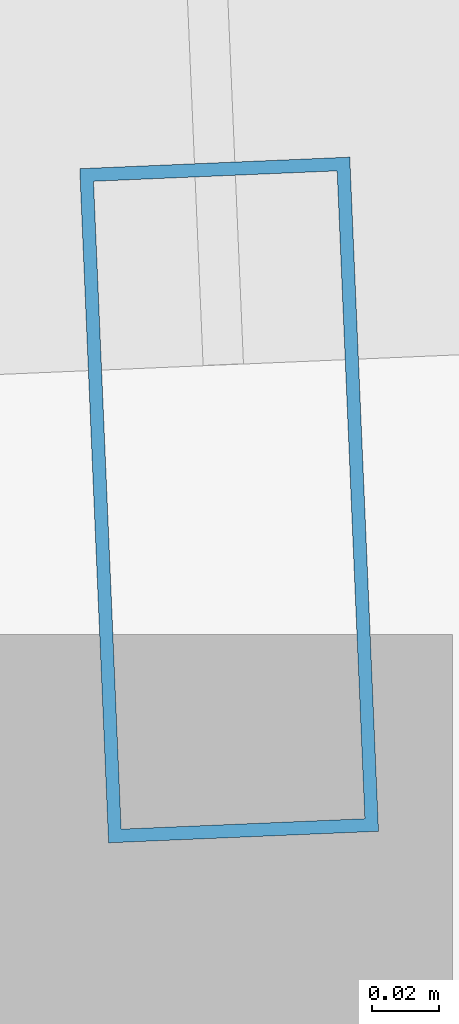
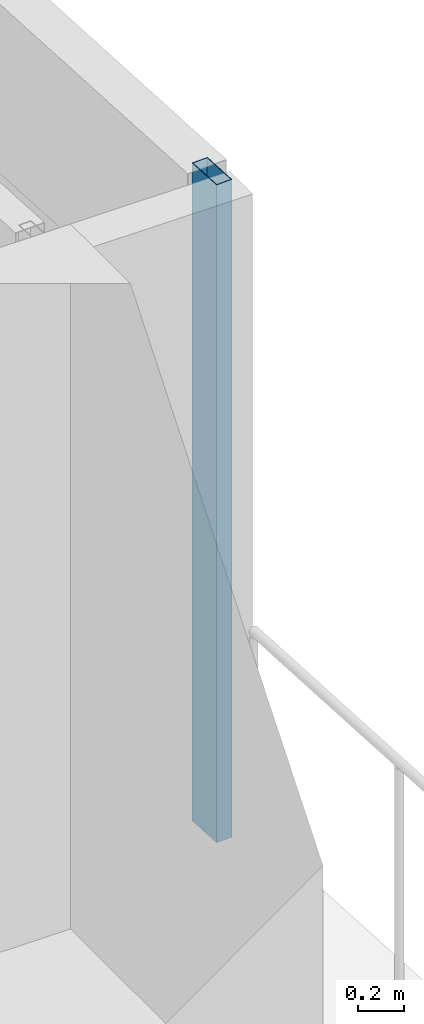
# One storey, part 27 of 42: 1 member, 1 element without a shape of its own.
"""IFC4 building model written with IfcOpenShell, lengths in metres."""

from ifc_helpers import new_model, si_unit, direction, frame, origin, origin_2d, place, context, subcontext, project, spatial, hollow_rectangle, extrude, material, material_profile, profile_set, type_object, element, aggregate, save


model = new_model("IFC4")

# Units and contexts
model_context = context("Model", 3, precision=1e-05, world=origin(), true_north=direction((0.0, 1.0)))
body_context = subcontext(model_context, "Body", "Model", "MODEL_VIEW")
ifc_project = project(units=[si_unit("LENGTHUNIT", "METRE"), si_unit("AREAUNIT", "SQUARE_METRE"), si_unit("VOLUMEUNIT", "CUBIC_METRE"), si_unit("PLANEANGLEUNIT", "RADIAN"), si_unit("MASSUNIT", "GRAM", prefix="KILO")], contexts=[model_context])

# Site, building, storey
site_placement = place(None, origin())
site = spatial("IfcSite", under=ifc_project, at=site_placement, CompositionType="ELEMENT")
building_placement = place(site_placement, origin())
building = spatial("IfcBuilding", under=site, at=building_placement, Name="Rekha Terrace Tower", CompositionType="ELEMENT")
storey_placement = place(building_placement, frame((0.0, 0.0, 40.39990234375)))
storey = spatial("IfcBuildingStorey", under=building, at=storey_placement, Name="L09", CompositionType="ELEMENT", Elevation=40.39990234375)

# Curtain wall, member
ifc_material_1 = material(Name="Aluminium framing", Category="aluminium")
curtain_wall_type = type_object("IfcCurtainWallType", Name="CW2 double skin outer glazing", PredefinedType="USERDEFINED", material=ifc_material_1)
curtain_wall_placement = place(storey_placement, origin())
curtain_wall = element("IfcCurtainWall", 1, at=curtain_wall_placement, inside=storey, type_object=curtain_wall_type, Name="CW2 double skin outer glazing", ObjectType="DOUBLE SKIN OUTER GLAZING", PredefinedType="USERDEFINED")
ifc_material_2 = material(Name="Aluminium mullion section", Category="aluminium")
ifc_material_profile = material_profile(ifc_material_2, hollow_rectangle(XDim=0.080078125, YDim=0.199951171875, WallThickness=0.00390625, at=origin_2d()), Name="AL RHS 80x200")
ifc_profile_set = profile_set([ifc_material_profile], Name="Aluminium mullion section")
member_type = type_object("IfcMemberType", Name="CW2 mullion RHS 80 x 200", PredefinedType="MULLION", material=ifc_profile_set)
member_placement = place(storey_placement, frame((69.2138671875, 51.849853515625, 0.0), z_axis=(0.0, 0.0, 1.0), x_axis=(-0.999088106903, -0.042696072956, 0.0)))
member = element("IfcMember", 2, at=member_placement, type_object=member_type, Name="CW2 mullion 1", PredefinedType="MULLION", context=body_context, shape_type="SweptSolid", body=[
    extrude(hollow_rectangle(XDim=0.080078125, YDim=0.199951171875, WallThickness=0.00390625, at=origin_2d()), origin(), (0.0, 0.0, 1.0), 3.5),
])
aggregate(curtain_wall, [member])

save(model, "model.ifc")
